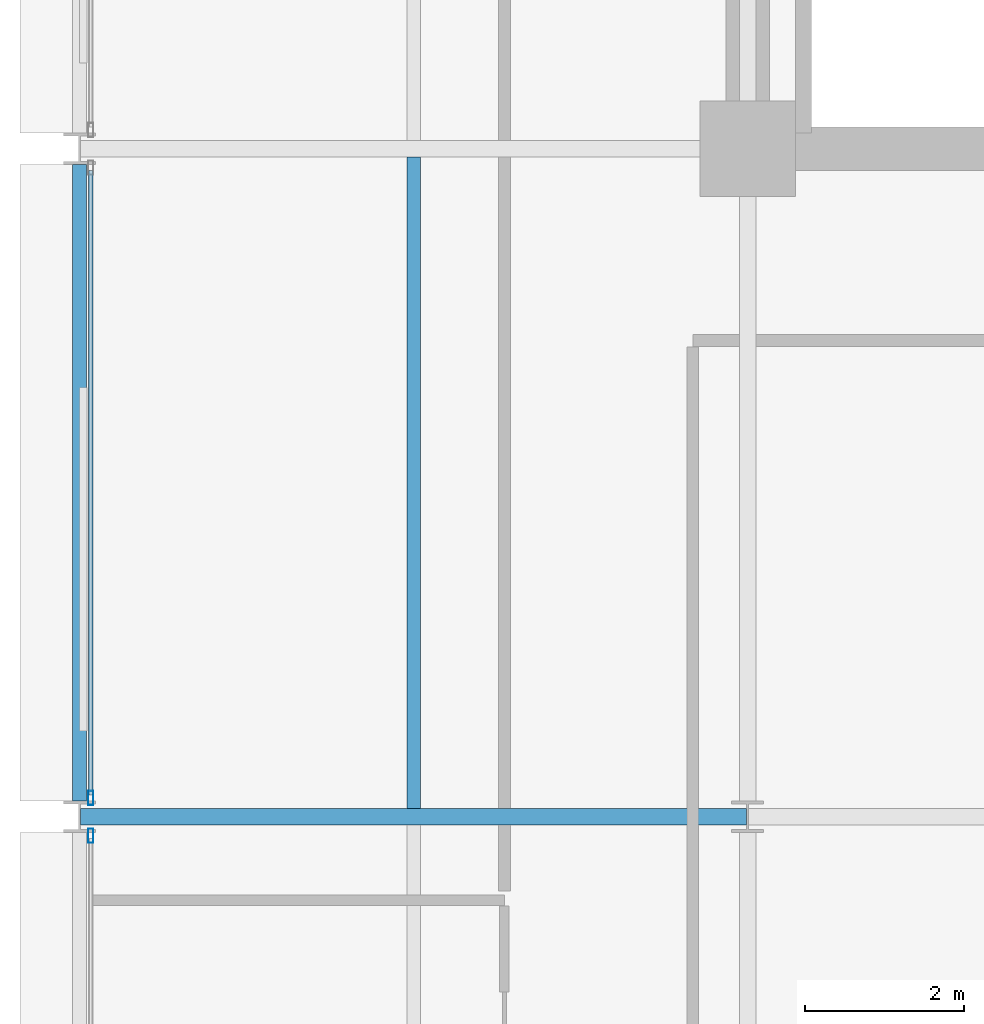
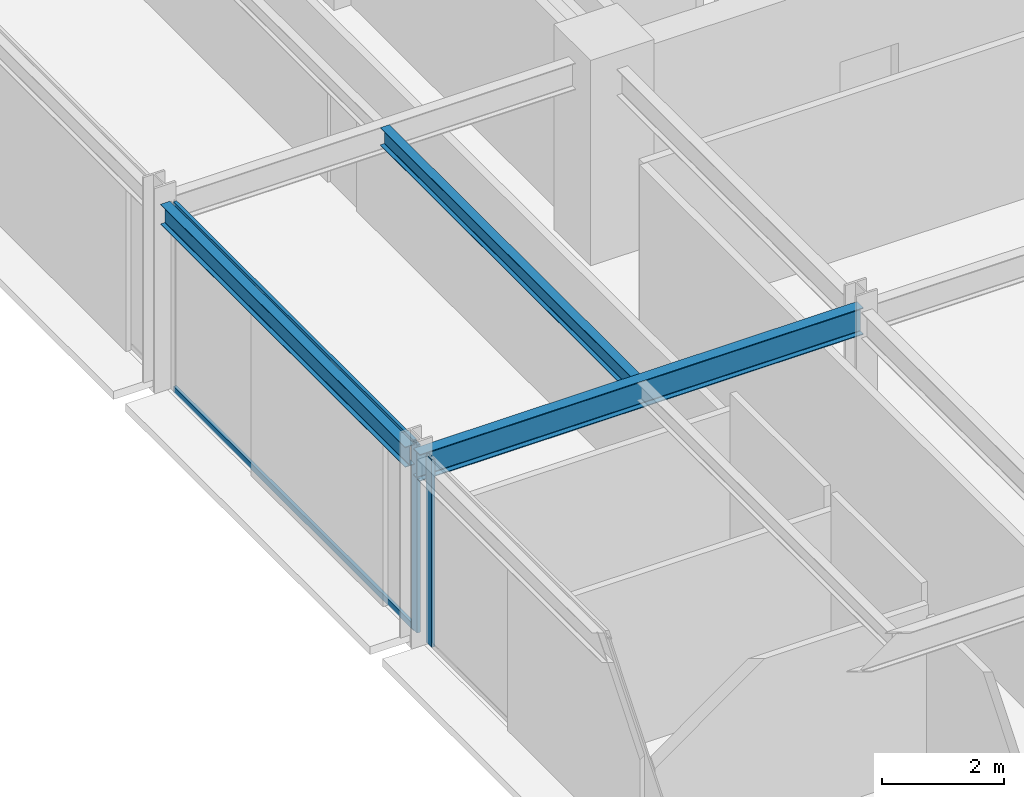
# One storey, part 11 of 40: 4 members, 3 beams, 2 elements without a shape of their own.
"""IFC4 building model written with IfcOpenShell, lengths in metres."""

import ifcopenshell
import ifcopenshell.guid

model = None  # the IFC model being written
_history = None  # IfcOwnerHistory: only IFC2X3 demands one
_inside = {}  # id of a spatial element -> (the spatial element, [elements in it])
_under = {}  # id of a project, library or spatial element -> (it, [spatial elements below it])
_declared = {}  # id of a project -> (the project, [libraries it declares])
_typed = {}  # id of a type object -> (the type object, [elements of that type])
_made_of = {}  # id of a material, layer set ... -> (it, [elements and type objects made of it])


def new_model(schema):
    """Start an empty IFC model of exactly this schema.

    Asked for "IFC4X3", IfcOpenShell would pick the latest addendum, in which some entities
    have other attributes; the version numbers below select the first issue.
    IFC2X3 requires an IfcOwnerHistory on every rooted entity: one is made here for all.
    """
    global model, _history
    if schema == "IFC4X3":
        model = ifcopenshell.file(schema_version=(4, 3, 0, 0))
    else:
        model = ifcopenshell.file(schema=schema)
    _inside.clear()
    _under.clear()
    _declared.clear()
    _typed.clear()
    _made_of.clear()
    _history = None
    if model.schema == "IFC2X3":
        org = make("IfcOrganization", Name="unknown")
        user = make(
            "IfcPersonAndOrganization",
            ThePerson=make("IfcPerson", FamilyName="unknown"),
            TheOrganization=org,
        )
        app = make(
            "IfcApplication",
            ApplicationDeveloper=org,
            Version="unknown",
            ApplicationFullName="unknown",
            ApplicationIdentifier="unknown",
        )
        _history = make(
            "IfcOwnerHistory",
            OwningUser=user,
            OwningApplication=app,
            ChangeAction="ADDED",
            CreationDate=0,
        )
    return model


def make(cls, **values):
    """One entity of the class cls with the attributes given. An attribute that is None is left unset."""
    return model.create_entity(
        cls, **{name: value for name, value in values.items() if value is not None}
    )


def rooted(cls, **values):
    """An entity with a GlobalId (a new one), such as an element, a storey or a relation."""
    return make(cls, GlobalId=ifcopenshell.guid.new(), OwnerHistory=_history, **values)


def si_unit(unit_type, name, prefix=None):
    """IfcSIUnit, for example si_unit("LENGTHUNIT", "METRE", prefix="MILLI")."""
    return make("IfcSIUnit", UnitType=unit_type, Prefix=prefix, Name=name)


def assignment(units):
    """IfcUnitAssignment: the units of a project."""
    return None if units is None else make("IfcUnitAssignment", Units=units)


def point(xyz):
    """IfcCartesianPoint."""
    return None if xyz is None else make("IfcCartesianPoint", Coordinates=xyz)


def direction(xyz):
    """IfcDirection."""
    return None if xyz is None else make("IfcDirection", DirectionRatios=xyz)


def frame(location, z_axis=None, x_axis=None):
    """IfcAxis2Placement3D, a coordinate frame: its origin and axes. An axis left out is left unset."""
    return make(
        "IfcAxis2Placement3D",
        Location=point(location),
        Axis=direction(z_axis),
        RefDirection=direction(x_axis),
    )


def frame_2d(location, x_axis=None):
    """IfcAxis2Placement2D, a coordinate frame in the plane: its origin and x axis."""
    return make(
        "IfcAxis2Placement2D", Location=point(location), RefDirection=direction(x_axis)
    )


def origin():
    """The frame at (0, 0, 0) with its axes left unset."""
    return frame((0.0, 0.0, 0.0))


def origin_2d():
    """The frame at (0, 0) in the plane with its x axis left unset."""
    return frame_2d((0.0, 0.0))


def place(relative_to, where):
    """IfcLocalPlacement: puts the frame where relative to a parent placement (None: the world)."""
    return make(
        "IfcLocalPlacement", PlacementRelTo=relative_to, RelativePlacement=where
    )


def context(
    kind, dimensions, precision=None, world=None, true_north=None, identifier=None
):
    """IfcGeometricRepresentationContext, for example the 3D "Model" context."""
    return make(
        "IfcGeometricRepresentationContext",
        ContextIdentifier=identifier,
        ContextType=kind,
        CoordinateSpaceDimension=dimensions,
        Precision=precision,
        WorldCoordinateSystem=world,
        TrueNorth=true_north,
    )


def subcontext(parent, identifier, kind, view, scale=None):
    """IfcGeometricRepresentationSubContext, for example "Body" below "Model"."""
    return make(
        "IfcGeometricRepresentationSubContext",
        ContextIdentifier=identifier,
        ContextType=kind,
        ParentContext=parent,
        TargetScale=scale,
        TargetView=view,
    )


def project(units=None, contexts=None):
    """IfcProject with its units and contexts."""
    return rooted(
        "IfcProject",
        Name="project",
        RepresentationContexts=contexts,
        UnitsInContext=assignment(units),
    )


def spatial(cls, under=None, at=None, **own):
    """A site, building, storey or space (cls), placed at a placement, below another one or the project."""
    s = rooted(cls, ObjectPlacement=at, **own)
    if under is not None:
        _under.setdefault(under.id(), (under, []))[1].append(s)
    return s


def profile(cls, at=None, kind="AREA", **sizes):
    """A parametric profile (cls). Its sizes go by their IFC names, for example OverallWidth=200.0."""
    return make(cls, ProfileType=kind, Position=at, **sizes)


def hollow_rectangle(**sizes):
    """IfcRectangleHollowProfileDef."""
    return profile("IfcRectangleHollowProfileDef", **sizes)


def i_section(**sizes):
    """IfcIShapeProfileDef."""
    return profile("IfcIShapeProfileDef", **sizes)


def extrude(swept, where, along, depth):
    """IfcExtrudedAreaSolid: the profile swept, set in the frame where, extruded along a direction by depth."""
    return make(
        "IfcExtrudedAreaSolid",
        SweptArea=swept,
        Position=where,
        ExtrudedDirection=direction(along),
        Depth=depth,
    )


def shape(context_of_items, identifier, shape_type, items):
    """IfcShapeRepresentation: the items that make up one representation, for example the "Body"."""
    return make(
        "IfcShapeRepresentation",
        ContextOfItems=context_of_items,
        RepresentationIdentifier=identifier,
        RepresentationType=shape_type,
        Items=items,
    )


def material(Name=None, Category=None):
    """IfcMaterial."""
    return make("IfcMaterial", Name=Name, Category=Category)


def layer(
    of_material, thickness, ventilated=None, Name=None, Category=None, Priority=None
):
    """IfcMaterialLayer: one layer of a wall or slab, of a material (None: an air gap)."""
    return make(
        "IfcMaterialLayer",
        Material=of_material,
        LayerThickness=thickness,
        IsVentilated=ventilated,
        Name=Name,
        Category=Category,
        Priority=Priority,
    )


def layer_set(layers, Name=None):
    """IfcMaterialLayerSet."""
    return make("IfcMaterialLayerSet", MaterialLayers=layers, LayerSetName=Name)


def material_profile(
    of_material, cross_section, Name=None, Category=None, Priority=None
):
    """IfcMaterialProfile: a cross section and its material."""
    return make(
        "IfcMaterialProfile",
        Name=Name,
        Material=of_material,
        Profile=cross_section,
        Priority=Priority,
        Category=Category,
    )


def profile_set(profiles, Name=None, composite=None):
    """IfcMaterialProfileSet."""
    return make(
        "IfcMaterialProfileSet",
        Name=Name,
        MaterialProfiles=profiles,
        CompositeProfile=composite,
    )


def made_of(thing, what):
    """Note that an element or type object is made of a material, layer set ...; save() writes the relation."""
    if what is not None:
        _made_of.setdefault(what.id(), (what, []))[1].append(thing)
    return thing


def type_object(cls, material=None, **own):
    """A type object (cls), such as IfcWallType, which elements share."""
    return made_of(rooted(cls, **own), material)


def element(
    cls,
    number,
    at=None,
    inside=None,
    cuts=None,
    type_object=None,
    material=None,
    context=None,
    identifier="Body",
    shape_type=None,
    held_by="IfcProductDefinitionShape",
    body=None,
    shapes=None,
    **own,
):
    """One element of the class cls, such as IfcWall. Its Tag is "e" and its number.

    at: its placement. inside: the storey or other place that contains it. cuts: it is an
    opening in that element (IfcRelVoidsElement). A single representation is given by context,
    identifier, shape_type and body (its items); several are given by shapes. held_by: the class
    of the entity that holds the representations. save() writes the other relations.
    """
    e = rooted(cls, Tag="e%d" % number, ObjectPlacement=at, **own)
    if body is not None:
        shapes = [shape(context, identifier, shape_type, body)]
    if shapes is not None:
        e.Representation = make(held_by, Representations=shapes)
    if inside is not None:
        _inside.setdefault(inside.id(), (inside, []))[1].append(e)
    if cuts is not None:
        rooted(
            "IfcRelVoidsElement", RelatingBuildingElement=cuts, RelatedOpeningElement=e
        )
    if type_object is not None:
        _typed.setdefault(type_object.id(), (type_object, []))[1].append(e)
    return made_of(e, material)


def aggregate(whole, parts):
    """IfcRelAggregates: a whole, such as a stair, and the parts it consists of."""
    return rooted("IfcRelAggregates", RelatingObject=whole, RelatedObjects=parts)


def save(model, path):
    """Write the relations noted so far, then the file.

    IfcRelAggregates (storeys below a building ...), IfcRelContainedInSpatialStructure (elements
    in a storey), IfcRelDefinesByType, IfcRelAssociatesMaterial and IfcRelDeclares: one each for
    every whole, place, type object, material and project.
    """
    for whole, parts in _under.values():
        aggregate(whole, parts)
    for where, things in _inside.values():
        rooted(
            "IfcRelContainedInSpatialStructure",
            RelatedElements=things,
            RelatingStructure=where,
        )
    for kind, things in _typed.values():
        rooted("IfcRelDefinesByType", RelatedObjects=things, RelatingType=kind)
    for what, things in _made_of.values():
        rooted("IfcRelAssociatesMaterial", RelatedObjects=things, RelatingMaterial=what)
    for by, libraries in _declared.values():
        rooted("IfcRelDeclares", RelatingContext=by, RelatedDefinitions=libraries)
    model.write(path)


model = new_model("IFC4")

# Units and contexts
model_context = context("Model", 3, precision=1e-05, world=origin(), true_north=direction((0.0, 1.0)))
body_context = subcontext(model_context, "Body", "Model", "MODEL_VIEW")
ifc_project = project(units=[si_unit("LENGTHUNIT", "METRE"), si_unit("AREAUNIT", "SQUARE_METRE"), si_unit("VOLUMEUNIT", "CUBIC_METRE"), si_unit("PLANEANGLEUNIT", "RADIAN"), si_unit("MASSUNIT", "GRAM", prefix="KILO")], contexts=[model_context])

# Site, building, storey
site_placement = place(None, origin())
site = spatial("IfcSite", under=ifc_project, at=site_placement, CompositionType="ELEMENT")
building_placement = place(site_placement, origin())
building = spatial("IfcBuilding", under=site, at=building_placement, Name="Nerrivon Quay Data Exchange", CompositionType="ELEMENT")
storey_placement = place(building_placement, frame((0.0, 0.0, 109.0)))
storey = spatial("IfcBuildingStorey", under=building, at=storey_placement, Name="L25", CompositionType="ELEMENT", Elevation=109.0)

# Beams
ifc_material_1 = material(Name="Steel Grade 350", Category="steel")
ifc_material_profile_1 = material_profile(ifc_material_1, i_section(OverallWidth=0.208984375, OverallDepth=0.532958984375, WebThickness=0.01025390625, FlangeThickness=0.015625, FilletRadius=0.013916015625, at=origin_2d()), Name="530UB92.4")
ifc_profile_set_1 = profile_set([ifc_material_profile_1], Name="Steel Grade 350")
beam_type_1 = type_object("IfcBeamType", Name="BM-G3-530UB92", PredefinedType="BEAM", material=ifc_profile_set_1)
beam_1_placement = place(storey_placement, frame((0.012451171875, 16.800048828125, 3.4833984375), z_axis=(1.0, 0.0, 0.0), x_axis=(0.0, 1.0, 0.0)))
element("IfcBeam", 1, at=beam_1_placement, inside=storey, type_object=beam_type_1, Name="L25 EW Girder Y=16.8 (0.0..8.4)", PredefinedType="BEAM", context=body_context, shape_type="SweptSolid", body=[
    extrude(i_section(OverallWidth=0.208984375, OverallDepth=0.532958984375, WebThickness=0.01025390625, FlangeThickness=0.015625, FilletRadius=0.013916015625, at=origin_2d()), origin(), (0.0, 0.0, 1.0), 8.375),
])
ifc_material_profile_2 = material_profile(ifc_material_1, i_section(OverallWidth=0.1708984375, OverallDepth=0.35595703125, WebThickness=0.00732421875, FlangeThickness=0.011474609375, FilletRadius=0.011474609375, at=origin_2d()), Name="360UB50.7")
ifc_profile_set_2 = profile_set([ifc_material_profile_2], Name="Steel Grade 350")
beam_type_2 = type_object("IfcBeamType", Name="BM-J4-360UB51", PredefinedType="JOIST", material=ifc_profile_set_2)
beam_2_placement = place(storey_placement, frame((4.199951171875, 16.904541015625, 3.572021484375), z_axis=(0.0, 1.0, 0.0), x_axis=(-1.0, 0.0, 0.0)))
element("IfcBeam", 2, at=beam_2_placement, inside=storey, type_object=beam_type_2, Name="L25 Secondary Joist X=4.2 (16.8..25.2)", PredefinedType="JOIST", context=body_context, shape_type="SweptSolid", body=[
    extrude(i_section(OverallWidth=0.1708984375, OverallDepth=0.35595703125, WebThickness=0.00732421875, FlangeThickness=0.011474609375, FilletRadius=0.011474609375, at=origin_2d()), origin(), (0.0, 0.0, 1.0), 8.19091796875),
])
ifc_material_profile_3 = material_profile(ifc_material_1, i_section(OverallWidth=0.177978515625, OverallDepth=0.403076171875, WebThickness=0.007568359375, FlangeThickness=0.010986328125, FilletRadius=0.011474609375, at=origin_2d()), Name="410UB53.7")
ifc_profile_set_3 = profile_set([ifc_material_profile_3], Name="Steel Grade 350")
beam_type_3 = type_object("IfcBeamType", Name="BM-SP2-410UB54", PredefinedType="SPANDREL", material=ifc_profile_set_3)
beam_3_placement = place(storey_placement, frame((0.0, 17.0, 3.548583984375), z_axis=(0.0, 1.0, 0.0), x_axis=(-1.0, 0.0, 0.0)))
element("IfcBeam", 3, at=beam_3_placement, inside=storey, type_object=beam_type_3, Name="L25 NS Girder X=0.0 (16.8..25.2)", PredefinedType="SPANDREL", context=body_context, shape_type="SweptSolid", body=[
    extrude(i_section(OverallWidth=0.177978515625, OverallDepth=0.403076171875, WebThickness=0.007568359375, FlangeThickness=0.010986328125, FilletRadius=0.011474609375, at=origin_2d()), origin(), (0.0, 0.0, 1.0), 8.0),
])

# Curtain wall, member
ifc_material_2 = material(Name="Anodised aluminium 6063-T6", Category="aluminium")
ifc_layer = layer(ifc_material_2, 0.2099609375)
ifc_layer_set = layer_set([ifc_layer], Name="Anodised aluminium 6063-T6")
curtain_wall_type = type_object("IfcCurtainWallType", Name="CW-SYS-02", PredefinedType="NOTDEFINED", material=ifc_layer_set)
curtain_wall_1_placement = place(storey_placement, origin())
curtain_wall_1 = element("IfcCurtainWall", 4, at=curtain_wall_1_placement, inside=storey, type_object=curtain_wall_type, Name="L25 Unitised Curtain Wall 18", PredefinedType="NOTDEFINED")
ifc_material_profile_4 = material_profile(ifc_material_2, hollow_rectangle(XDim=0.06494140625, YDim=0.179931640625, WallThickness=0.00341796875, at=origin_2d()), Name="ALU-MULL-180x65")
ifc_profile_set_4 = profile_set([ifc_material_profile_4], Name="Anodised aluminium 6063-T6")
member_type_1 = type_object("IfcMemberType", Name="CWM-180x65", PredefinedType="MULLION", material=ifc_profile_set_4)
member_1_placement = place(storey_placement, frame((0.139892578125, 16.5625, 0.0), z_axis=(0.0, 0.0, 1.0), x_axis=(-1.0, 0.0, 0.0)))
member_1 = element("IfcMember", 5, at=member_1_placement, type_object=member_type_1, Name="CW02 mullion 2", PredefinedType="MULLION", context=body_context, shape_type="SweptSolid", body=[
    extrude(hollow_rectangle(XDim=0.06494140625, YDim=0.179931640625, WallThickness=0.00341796875, at=origin_2d()), origin(), (0.0, 0.0, 1.0), 3.75),
])
aggregate(curtain_wall_1, [member_1])

# Curtain wall, members
curtain_wall_2_placement = place(storey_placement, origin())
curtain_wall_2 = element("IfcCurtainWall", 6, at=curtain_wall_2_placement, inside=storey, type_object=curtain_wall_type, Name="L25 Unitised Curtain Wall 19", PredefinedType="NOTDEFINED")
member_2_placement = place(storey_placement, frame((0.139892578125, 17.03759765625, 0.0), z_axis=(0.0, 0.0, 1.0), x_axis=(-1.0, 0.0, 0.0)))
member_2 = element("IfcMember", 7, at=member_2_placement, type_object=member_type_1, Name="CW02 mullion 1", PredefinedType="MULLION", context=body_context, shape_type="SweptSolid", body=[
    extrude(hollow_rectangle(XDim=0.06494140625, YDim=0.179931640625, WallThickness=0.00341796875, at=origin_2d()), origin(), (0.0, 0.0, 1.0), 3.75),
])
ifc_material_profile_5 = material_profile(ifc_material_2, hollow_rectangle(XDim=0.06005859375, YDim=0.1201171875, WallThickness=0.003173828125, at=origin_2d()), Name="ALU-TRAN-120x60")
ifc_profile_set_5 = profile_set([ifc_material_profile_5], Name="Anodised aluminium 6063-T6")
member_type_2 = type_object("IfcMemberType", Name="CWT-120x60", PredefinedType="USERDEFINED", material=ifc_profile_set_5)
member_3_placement = place(storey_placement, frame((0.139892578125, 17.074951171875, 0.032470703125), z_axis=(0.0, 1.0, 0.0), x_axis=(-1.0, 0.0, 0.0)))
member_3 = element("IfcMember", 8, at=member_3_placement, type_object=member_type_2, Name="CW02 transom 1.1", ObjectType="TRANSOM", PredefinedType="USERDEFINED", context=body_context, shape_type="SweptSolid", body=[
    extrude(hollow_rectangle(XDim=0.06005859375, YDim=0.1201171875, WallThickness=0.003173828125, at=origin_2d()), origin(), (0.0, 0.0, 1.0), 7.85009765625),
])
member_4_placement = place(storey_placement, frame((0.139892578125, 17.074951171875, 3.717529296875), z_axis=(0.0, 1.0, 0.0), x_axis=(-1.0, 0.0, 0.0)))
member_4 = element("IfcMember", 9, at=member_4_placement, type_object=member_type_2, Name="CW02 transom 1.2", ObjectType="TRANSOM", PredefinedType="USERDEFINED", context=body_context, shape_type="SweptSolid", body=[
    extrude(hollow_rectangle(XDim=0.06005859375, YDim=0.1201171875, WallThickness=0.003173828125, at=origin_2d()), origin(), (0.0, 0.0, 1.0), 7.85009765625),
])
aggregate(curtain_wall_2, [member_2, member_3, member_4])

save(model, "model.ifc")
